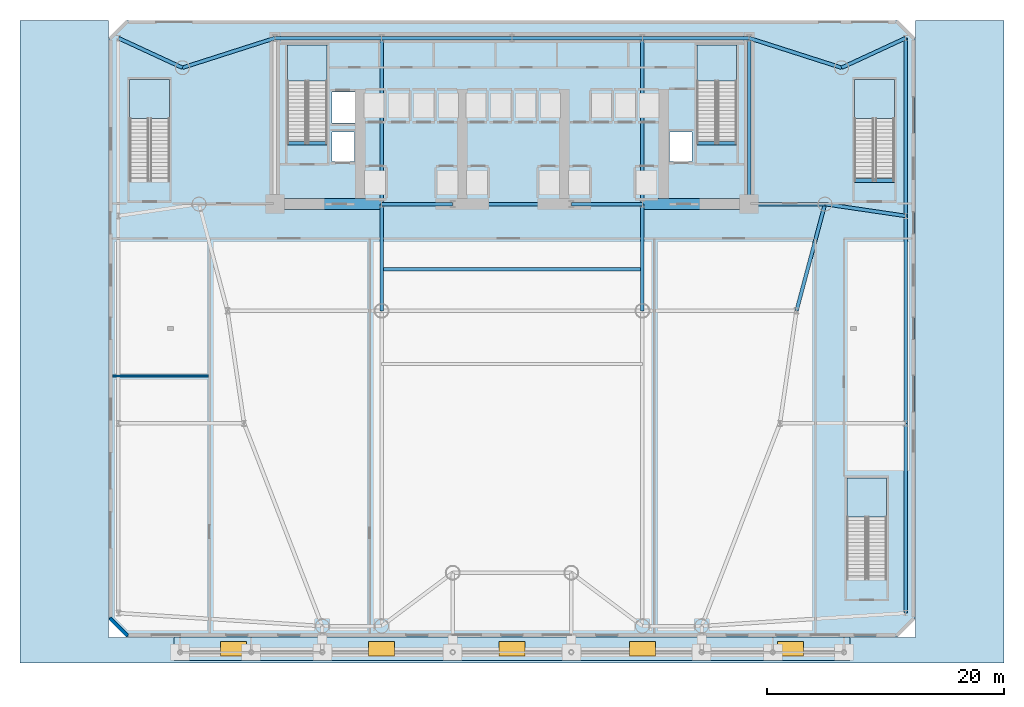
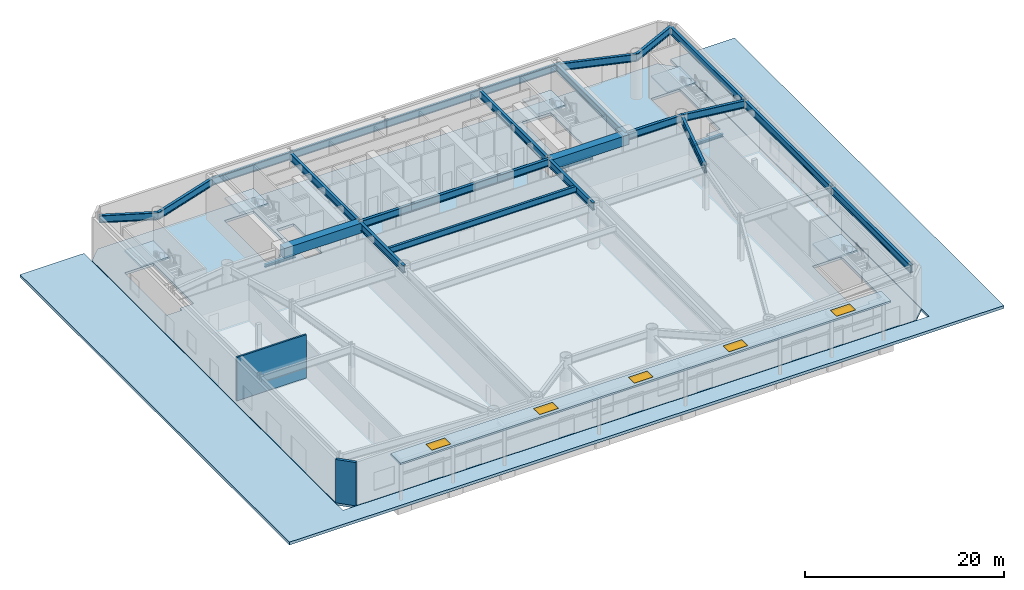
# One storey, part 5 of 20: 28 beams, 8 slabs, 5 windows, 2 walls, 5 openings, 5 elements without a shape of their own.
"""IFC4 building model written with IfcOpenShell, lengths in metres."""

from ifc_helpers import new_model, si_unit, direction, frame, frame_2d, origin, origin_2d, place, context, subcontext, project, spatial, polyline, rectangle, i_section, outline, extrude, source, transform, mapped, material, layer, layer_set, material_profile, profile_set, type_object, element, fill, aggregate, save


model = new_model("IFC4")

# Units and contexts
model_context = context("Model", 3, precision=1e-05, world=origin(), true_north=direction((0.0, 1.0)))
body_context = subcontext(model_context, "Body", "Model", "MODEL_VIEW")
ifc_project = project(units=[si_unit("LENGTHUNIT", "METRE"), si_unit("AREAUNIT", "SQUARE_METRE"), si_unit("VOLUMEUNIT", "CUBIC_METRE"), si_unit("PLANEANGLEUNIT", "RADIAN"), si_unit("MASSUNIT", "GRAM", prefix="KILO")], contexts=[model_context])

# Site, building, storey
site_placement = place(None, origin())
site = spatial("IfcSite", under=ifc_project, at=site_placement, CompositionType="ELEMENT")
building_placement = place(site_placement, origin())
building = spatial("IfcBuilding", under=site, at=building_placement, Name="Vaeldorn Concourse Tower", CompositionType="ELEMENT")
storey_placement = place(building_placement, origin())
storey = spatial("IfcBuildingStorey", under=building, at=storey_placement, Name="L00", CompositionType="ELEMENT", Elevation=0.0)

# Beams
ifc_material_1 = material(Name="Concrete C60/75", Category="concrete")
ifc_material_profile_1 = material_profile(ifc_material_1, rectangle(XDim=0.89990234375, YDim=1.199951171875, at=origin_2d()), Name="RC 900x1200")
ifc_profile_set_1 = profile_set([ifc_material_profile_1], Name="Concrete C60/75")
beam_type_1 = type_object("IfcBeamType", Name="BM-CB-RC900", PredefinedType="BEAM", material=ifc_profile_set_1)
shared_shape_1 = source(origin(), body_context, "Body", "SweptSolid", [
    extrude(rectangle(XDim=0.89990234375, YDim=1.199951171875, at=origin_2d()), origin(), (0.0, 0.0, 1.0), 9.0),
])
for number, where, z_axis, x_axis, name in (
    (1, (14.0, 36.5, 4.719970703125), (1.0, 0.0, 0.0), (0.0, 1.0, 0.0), "Core Coupling Beam L00-1"),
    (2, (45.0, 36.5, 4.719970703125), (1.0, 0.0, 0.0), (0.0, 1.0, 0.0), "Core Coupling Beam L00-2"),
):
    element("IfcBeam", number, at=place(storey_placement, frame(where, z_axis=z_axis, x_axis=x_axis)), inside=storey, type_object=beam_type_1, Name=name, PredefinedType="BEAM", context=body_context, shape_type="MappedRepresentation", body=[
        mapped(shared_shape_1, transform((0.0, 0.0, 0.0), scale=1.0)),
    ])
ifc_material_2 = material(Name="Steel S355", Category="steel")
ifc_material_profile_2 = material_profile(ifc_material_2, i_section(OverallWidth=0.300048828125, OverallDepth=0.340087890625, WebThickness=0.011962890625, FlangeThickness=0.021484375, FilletRadius=0.027099609375, at=origin_2d()), Name="HEB 340")
ifc_profile_set_2 = profile_set([ifc_material_profile_2], Name="Steel S355")
beam_type_2 = type_object("IfcBeamType", Name="BM-ST-TRIM", PredefinedType="BEAM", material=ifc_profile_set_2)
shared_shape_2 = source(origin(), body_context, "Body", "SweptSolid", [
    extrude(i_section(OverallWidth=0.300048828125, OverallDepth=0.340087890625, WebThickness=0.011962890625, FlangeThickness=0.021484375, FilletRadius=0.027099609375, at=origin_2d()), origin(), (0.0, 0.0, 1.0), 3.590087890625),
])
for number, where, z_axis, x_axis, name in (
    (3, (14.929931640625, 41.639892578125, -0.489990234375), (1.0, 0.0, 0.0), (0.0, 1.0, 0.0), "Stair Landing Trimmer Beam ST-1 L00"),
    (4, (49.47998046875, 41.639892578125, -0.489990234375), (1.0, 0.0, 0.0), (0.0, 1.0, 0.0), "Stair Landing Trimmer Beam ST-2 L00"),
    (5, (62.780029296875, 38.489990234375, -0.489990234375), (1.0, 0.0, 0.0), (0.0, 1.0, 0.0), "Stair Landing Trimmer Beam ST-4 L00"),
):
    element("IfcBeam", number, at=place(storey_placement, frame(where, z_axis=z_axis, x_axis=x_axis)), inside=storey, type_object=beam_type_2, Name=name, PredefinedType="BEAM", context=body_context, shape_type="MappedRepresentation", body=[
        mapped(shared_shape_2, transform((0.0, 0.0, 0.0), scale=1.0)),
    ])
ifc_material_profile_3 = material_profile(ifc_material_2, i_section(OverallWidth=0.302001953125, OverallDepth=0.909912109375, WebThickness=0.02099609375, FlangeThickness=0.0400390625, FilletRadius=0.030029296875, at=origin_2d()), Name="HEM 900")
ifc_profile_set_3 = profile_set([ifc_material_profile_3], Name="Steel S355")
beam_type_3 = type_object("IfcBeamType", Name="BM-PG-HEM900", PredefinedType="BEAM", material=ifc_profile_set_3)
shared_shape_3 = source(origin(), body_context, "Body", "SweptSolid", [
    extrude(i_section(OverallWidth=0.302001953125, OverallDepth=0.909912109375, WebThickness=0.02099609375, FlangeThickness=0.0400390625, FilletRadius=0.030029296875, at=origin_2d()), origin(), (0.0, 0.0, 1.0), 6.0),
])
for number, where, z_axis, x_axis, name in (
    (6, (23.0, 36.5, 4.864990234375), (1.0, 0.0, 0.0), (0.0, 1.0, 0.0), "Beam BM-L00-C-FC2-C-FC3"),
    (7, (39.0, 36.5, 4.864990234375), (1.0, 0.0, 0.0), (0.0, 1.0, 0.0), "Beam BM-L00-C-FC4-C-FC5"),
):
    element("IfcBeam", number, at=place(storey_placement, frame(where, z_axis=z_axis, x_axis=x_axis)), inside=storey, type_object=beam_type_3, Name=name, PredefinedType="BEAM", context=body_context, shape_type="MappedRepresentation", body=[
        mapped(shared_shape_3, transform((0.0, 0.0, 0.0), scale=1.0)),
    ])
shared_shape_4 = source(origin(), body_context, "Body", "SweptSolid", [
    extrude(i_section(OverallWidth=0.302001953125, OverallDepth=0.909912109375, WebThickness=0.02099609375, FlangeThickness=0.0400390625, FilletRadius=0.030029296875, at=origin_2d()), origin(), (0.0, 0.0, 1.0), 10.0),
])
beam_1_placement = place(storey_placement, frame((29.0, 36.5, 4.864990234375), z_axis=(1.0, 0.0, 0.0), x_axis=(0.0, 1.0, 0.0)))
element("IfcBeam", 8, at=beam_1_placement, inside=storey, type_object=beam_type_3, Name="Beam BM-L00-C-FC3-C-FC4", PredefinedType="BEAM", context=body_context, shape_type="MappedRepresentation", body=[
    mapped(shared_shape_4, transform((0.0, 0.0, 0.0), scale=1.0)),
])
shared_shape_5 = source(origin(), body_context, "Body", "SweptSolid", [
    extrude(i_section(OverallWidth=0.302001953125, OverallDepth=0.909912109375, WebThickness=0.02099609375, FlangeThickness=0.0400390625, FilletRadius=0.030029296875, at=origin_2d()), origin(), (0.0, 0.0, 1.0), 9.0),
])
for number, where, z_axis, x_axis, name in (
    (9, (14.0, 50.5, 4.864990234375), (1.0, 0.0, 0.0), (0.0, 1.0, 0.0), "Beam BM-L00-C-HC1-C-HC2"),
    (10, (45.0, 50.5, 4.864990234375), (1.0, 0.0, 0.0), (0.0, 1.0, 0.0), "Beam BM-L00-C-HC4-C-HC5"),
    (11, (23.0, 27.5, 4.864990234375), (0.0, 1.0, 0.0), (-1.0, 0.0, 0.0), "Beam BM-L00-C-TW1-C-FC2"),
    (12, (45.0, 27.5, 4.864990234375), (0.0, 1.0, 0.0), (-1.0, 0.0, 0.0), "Beam BM-L00-C-TW4-C-FC5"),
):
    element("IfcBeam", number, at=place(storey_placement, frame(where, z_axis=z_axis, x_axis=x_axis)), inside=storey, type_object=beam_type_3, Name=name, PredefinedType="BEAM", context=body_context, shape_type="MappedRepresentation", body=[
        mapped(shared_shape_5, transform((0.0, 0.0, 0.0), scale=1.0)),
    ])
shared_shape_6 = source(origin(), body_context, "Body", "SweptSolid", [
    extrude(i_section(OverallWidth=0.302001953125, OverallDepth=0.909912109375, WebThickness=0.02099609375, FlangeThickness=0.0400390625, FilletRadius=0.030029296875, at=origin_2d()), origin(), (0.0, 0.0, 1.0), 11.0),
])
for number, where, z_axis, x_axis, name in (
    (13, (23.0, 50.5, 4.864990234375), (1.0, 0.0, 0.0), (0.0, 1.0, 0.0), "Beam BM-L00-C-HC2-C-HC3"),
    (14, (34.0, 50.5, 4.864990234375), (1.0, 0.0, 0.0), (0.0, 1.0, 0.0), "Beam BM-L00-C-HC3-C-HC4"),
):
    element("IfcBeam", number, at=place(storey_placement, frame(where, z_axis=z_axis, x_axis=x_axis)), inside=storey, type_object=beam_type_3, Name=name, PredefinedType="BEAM", context=body_context, shape_type="MappedRepresentation", body=[
        mapped(shared_shape_6, transform((0.0, 0.0, 0.0), scale=1.0)),
    ])
shared_shape_7 = source(origin(), body_context, "Body", "SweptSolid", [
    extrude(i_section(OverallWidth=0.302001953125, OverallDepth=0.909912109375, WebThickness=0.02099609375, FlangeThickness=0.0400390625, FilletRadius=0.030029296875, at=origin_2d()), origin(), (0.0, 0.0, 1.0), 14.0),
])
for number, where, z_axis, x_axis, name in (
    (15, (23.0, 36.5, 4.864990234375), (0.0, 1.0, 0.0), (-1.0, 0.0, 0.0), "Beam BM-L00-C-FC2-C-HC2"),
    (16, (45.0, 36.5, 4.864990234375), (0.0, 1.0, 0.0), (-1.0, 0.0, 0.0), "Beam BM-L00-C-FC5-C-HC4"),
    (17, (54.0, 36.5, 4.864990234375), (0.0, 1.0, 0.0), (-1.0, 0.0, 0.0), "Beam BM-L00-C-FC6-C-HC5"),
):
    element("IfcBeam", number, at=place(storey_placement, frame(where, z_axis=z_axis, x_axis=x_axis)), inside=storey, type_object=beam_type_3, Name=name, PredefinedType="BEAM", context=body_context, shape_type="MappedRepresentation", body=[
        mapped(shared_shape_7, transform((0.0, 0.0, 0.0), scale=1.0)),
    ])
shared_shape_8 = source(origin(), body_context, "Body", "SweptSolid", [
    extrude(i_section(OverallWidth=0.302001953125, OverallDepth=0.909912109375, WebThickness=0.02099609375, FlangeThickness=0.0400390625, FilletRadius=0.030029296875, at=origin_2d()), origin(), (0.0, 0.0, 1.0), 16.0),
])
beam_2_placement = place(storey_placement, frame((67.199951171875, 2.0, 4.864990234375), z_axis=(0.0, 1.0, 0.0), x_axis=(-1.0, 0.0, 0.0)))
element("IfcBeam", 18, at=beam_2_placement, inside=storey, type_object=beam_type_3, Name="Beam BM-L00-C-PE1-C-PE2", PredefinedType="BEAM", context=body_context, shape_type="MappedRepresentation", body=[
    mapped(shared_shape_8, transform((0.0, 0.0, 0.0), scale=1.0)),
])
shared_shape_9 = source(origin(), body_context, "Body", "SweptSolid", [
    extrude(i_section(OverallWidth=0.302001953125, OverallDepth=0.909912109375, WebThickness=0.02099609375, FlangeThickness=0.0400390625, FilletRadius=0.030029296875, at=origin_2d()), origin(), (0.0, 0.0, 1.0), 17.5),
])
beam_3_placement = place(storey_placement, frame((67.199951171875, 18.0, 4.864990234375), z_axis=(0.0, 1.0, 0.0), x_axis=(-1.0, 0.0, 0.0)))
element("IfcBeam", 19, at=beam_3_placement, inside=storey, type_object=beam_type_3, Name="Beam BM-L00-C-PE2-C-PE3", PredefinedType="BEAM", context=body_context, shape_type="MappedRepresentation", body=[
    mapped(shared_shape_9, transform((0.0, 0.0, 0.0), scale=1.0)),
])
shared_shape_10 = source(origin(), body_context, "Body", "SweptSolid", [
    extrude(i_section(OverallWidth=0.302001953125, OverallDepth=0.909912109375, WebThickness=0.02099609375, FlangeThickness=0.0400390625, FilletRadius=0.030029296875, at=origin_2d()), origin(), (0.0, 0.0, 1.0), 15.0),
])
beam_4_placement = place(storey_placement, frame((67.199951171875, 35.5, 4.864990234375), z_axis=(0.0, 1.0, 0.0), x_axis=(-1.0, 0.0, 0.0)))
element("IfcBeam", 20, at=beam_4_placement, inside=storey, type_object=beam_type_3, Name="Beam BM-L00-C-PE3-C-PE4", PredefinedType="BEAM", context=body_context, shape_type="MappedRepresentation", body=[
    mapped(shared_shape_10, transform((0.0, 0.0, 0.0), scale=1.0)),
])
shared_shape_11 = source(origin(), body_context, "Body", "SweptSolid", [
    extrude(i_section(OverallWidth=0.302001953125, OverallDepth=0.909912109375, WebThickness=0.02099609375, FlangeThickness=0.0400390625, FilletRadius=0.030029296875, at=origin_2d()), origin(), (0.0, 0.0, 1.0), 6.873291015625),
])
beam_5_placement = place(storey_placement, frame((60.39990234375, 36.5, 4.864990234375), z_axis=(0.989359285749, -0.145492967882, 0.0), x_axis=(0.145492967882, 0.989359285749, 0.0)))
element("IfcBeam", 21, at=beam_5_placement, inside=storey, type_object=beam_type_3, Name="Beam BM-L00-C-NE2-C-PE3", PredefinedType="BEAM", context=body_context, shape_type="MappedRepresentation", body=[
    mapped(shared_shape_11, transform((0.0, 0.0, 0.0), scale=1.0)),
])
shared_shape_12 = source(origin(), body_context, "Body", "SweptSolid", [
    extrude(i_section(OverallWidth=0.302001953125, OverallDepth=0.909912109375, WebThickness=0.02099609375, FlangeThickness=0.0400390625, FilletRadius=0.030029296875, at=origin_2d()), origin(), (0.0, 0.0, 1.0), 6.39990234375),
])
beam_6_placement = place(storey_placement, frame((54.0, 36.5, 4.864990234375), z_axis=(1.0, 0.0, 0.0), x_axis=(0.0, 1.0, 0.0)))
element("IfcBeam", 22, at=beam_6_placement, inside=storey, type_object=beam_type_3, Name="Beam BM-L00-C-FC6-C-NE2", PredefinedType="BEAM", context=body_context, shape_type="MappedRepresentation", body=[
    mapped(shared_shape_12, transform((0.0, 0.0, 0.0), scale=1.0)),
])
shared_shape_13 = source(origin(), body_context, "Body", "SweptSolid", [
    extrude(i_section(OverallWidth=0.302001953125, OverallDepth=0.909912109375, WebThickness=0.02099609375, FlangeThickness=0.0400390625, FilletRadius=0.030029296875, at=origin_2d()), origin(), (0.0, 0.0, 1.0), 5.950439453125),
])
for number, where, z_axis, x_axis, name in (
    (23, (0.800048828125, 50.5, 4.864990234375), (0.907464010437, -0.420129824888, 0.0), (0.420129824888, 0.907464010437, 0.0), "Beam BM-L00-C-PW4-C-NW1"),
    (24, (61.800048828125, 48.0, 4.864990234375), (0.907464010437, 0.420129824888, 0.0), (-0.420129824888, 0.907464010437, 0.0), "Beam BM-L00-C-NE1-C-PE4"),
):
    element("IfcBeam", number, at=place(storey_placement, frame(where, z_axis=z_axis, x_axis=x_axis)), inside=storey, type_object=beam_type_3, Name=name, PredefinedType="BEAM", context=body_context, shape_type="MappedRepresentation", body=[
        mapped(shared_shape_13, transform((0.0, 0.0, 0.0), scale=1.0)),
    ])
shared_shape_14 = source(origin(), body_context, "Body", "SweptSolid", [
    extrude(i_section(OverallWidth=0.302001953125, OverallDepth=0.909912109375, WebThickness=0.02099609375, FlangeThickness=0.0400390625, FilletRadius=0.030029296875, at=origin_2d()), origin(), (0.0, 0.0, 1.0), 8.19091796875),
])
for number, where, z_axis, x_axis, name in (
    (25, (6.199951171875, 48.0, 4.864990234375), (0.952282843383, 0.305216949396, 0.0), (-0.305216949396, 0.952282843383, 0.0), "Beam BM-L00-C-NW1-C-HC1"),
    (26, (54.0, 50.5, 4.864990234375), (0.952282843383, -0.305216949396, 0.0), (0.305216949396, 0.952282843383, 0.0), "Beam BM-L00-C-HC5-C-NE1"),
):
    element("IfcBeam", number, at=place(storey_placement, frame(where, z_axis=z_axis, x_axis=x_axis)), inside=storey, type_object=beam_type_3, Name=name, PredefinedType="BEAM", context=body_context, shape_type="MappedRepresentation", body=[
        mapped(shared_shape_14, transform((0.0, 0.0, 0.0), scale=1.0)),
    ])
shared_shape_15 = source(origin(), body_context, "Body", "SweptSolid", [
    extrude(i_section(OverallWidth=0.302001953125, OverallDepth=0.909912109375, WebThickness=0.02099609375, FlangeThickness=0.0400390625, FilletRadius=0.030029296875, at=origin_2d()), origin(), (0.0, 0.0, 1.0), 9.314453125),
])
beam_7_placement = place(storey_placement, frame((60.39990234375, 36.5, 4.864990234375), z_axis=(-0.257652862255, -0.966237549763, 0.0), x_axis=(0.966237549763, -0.257652862255, 0.0)))
element("IfcBeam", 27, at=beam_7_placement, inside=storey, type_object=beam_type_3, Name="Beam BM-L00-C-NE2-C-FLE1", PredefinedType="BEAM", context=body_context, shape_type="MappedRepresentation", body=[
    mapped(shared_shape_15, transform((0.0, 0.0, 0.0), scale=1.0)),
])
ifc_material_profile_4 = material_profile(ifc_material_2, i_section(OverallWidth=0.26708984375, OverallDepth=0.761962890625, WebThickness=0.014404296875, FlangeThickness=0.021484375, FilletRadius=0.01708984375, at=origin_2d()), Name="IPE 750x173")
ifc_profile_set_4 = profile_set([ifc_material_profile_4], Name="Steel S355")
beam_type_4 = type_object("IfcBeamType", Name="BM-JS-IPE750", PredefinedType="JOIST", material=ifc_profile_set_4)
shared_shape_16 = source(origin(), body_context, "Body", "SweptSolid", [
    extrude(i_section(OverallWidth=0.26708984375, OverallDepth=0.761962890625, WebThickness=0.014404296875, FlangeThickness=0.021484375, FilletRadius=0.01708984375, at=origin_2d()), origin(), (0.0, 0.0, 1.0), 22.0),
])
beam_8_placement = place(storey_placement, frame((23.0, 31.0, 4.93896484375), z_axis=(1.0, 0.0, 0.0), x_axis=(0.0, 1.0, 0.0)))
element("IfcBeam", 28, at=beam_8_placement, inside=storey, type_object=beam_type_4, Name="Beam JS-L00-C-31", PredefinedType="JOIST", context=body_context, shape_type="MappedRepresentation", body=[
    mapped(shared_shape_16, transform((0.0, 0.0, 0.0), scale=1.0)),
])

# Slab, openings, windows
ifc_material_3 = material(Name="Concrete C40/50", Category="concrete")
ifc_layer_1 = layer(ifc_material_3, 0.219970703125)
ifc_layer_set_1 = layer_set([ifc_layer_1], Name="Concrete C40/50")
slab_type_1 = type_object("IfcSlabType", Name="SL-CANOPY-ROOF", PredefinedType="ROOF", material=ifc_layer_set_1)
slab_1_placement = place(storey_placement, frame((0.0, 0.0, 4.800048828125)))
slab_1 = element("IfcSlab", 29, at=slab_1_placement, inside=storey, type_object=slab_type_1, Name="Station Forecourt Canopy Roof Slab", PredefinedType="ROOF", context=body_context, shape_type="SweptSolid", body=[
    extrude(outline(polyline([(5.5, -2.0), (62.5, -2.0), (62.5, 0.0), (5.5, 0.0), (5.5, -2.0)])), origin(), (0.0, 0.0, 1.0), 0.219970703125),
])
opening_1_placement = place(slab_1_placement, frame((10.5, -1.0, 0.0)))
opening_1 = element("IfcOpeningElement", 30, at=opening_1_placement, cuts=slab_1, Name="Opening SK-1", PredefinedType="OPENING", context=body_context, shape_type="SweptSolid", body=[
    extrude(rectangle(XDim=2.199951171875, YDim=1.199951171875, at=origin_2d()), origin(), (0.0, 0.0, 1.0), 0.219970703125),
])
opening_2_placement = place(slab_1_placement, frame((23.0, -1.0, 0.0)))
opening_2 = element("IfcOpeningElement", 31, at=opening_2_placement, cuts=slab_1, Name="Opening SK-1", PredefinedType="OPENING", context=body_context, shape_type="SweptSolid", body=[
    extrude(rectangle(XDim=2.199951171875, YDim=1.199951171875, at=origin_2d()), origin(), (0.0, 0.0, 1.0), 0.219970703125),
])
opening_3_placement = place(slab_1_placement, frame((34.0, -1.0, 0.0)))
opening_3 = element("IfcOpeningElement", 32, at=opening_3_placement, cuts=slab_1, Name="Opening SK-1", PredefinedType="OPENING", context=body_context, shape_type="SweptSolid", body=[
    extrude(rectangle(XDim=2.199951171875, YDim=1.199951171875, at=origin_2d()), origin(), (0.0, 0.0, 1.0), 0.219970703125),
])
opening_4_placement = place(slab_1_placement, frame((45.0, -1.0, 0.0)))
opening_4 = element("IfcOpeningElement", 33, at=opening_4_placement, cuts=slab_1, Name="Opening SK-1", PredefinedType="OPENING", context=body_context, shape_type="SweptSolid", body=[
    extrude(rectangle(XDim=2.199951171875, YDim=1.199951171875, at=origin_2d()), origin(), (0.0, 0.0, 1.0), 0.219970703125),
])
opening_5_placement = place(slab_1_placement, frame((57.5, -1.0, 0.0)))
opening_5 = element("IfcOpeningElement", 34, at=opening_5_placement, cuts=slab_1, Name="Opening SK-1", PredefinedType="OPENING", context=body_context, shape_type="SweptSolid", body=[
    extrude(rectangle(XDim=2.199951171875, YDim=1.199951171875, at=origin_2d()), origin(), (0.0, 0.0, 1.0), 0.219970703125),
])
ifc_material_4 = material(Name="Bronze Tinted Low-E Insulated Glass", Category="glass")
window_type = type_object("IfcWindowType", Name="WN-SKYLIGHT-3000x2400", PartitioningType="SINGLE_PANEL", PredefinedType="SKYLIGHT", material=ifc_material_4)
window_1_placement = place(opening_1_placement, frame((0.0, 0.0, 0.169921875)))
window_1 = element("IfcWindow", 35, at=window_1_placement, inside=storey, type_object=window_type, Name="Forecourt Canopy Glazed Skylight 1", OverallHeight=1.199951171875, OverallWidth=2.199951171875, PartitioningType="SINGLE_PANEL", PredefinedType="SKYLIGHT", context=body_context, shape_type="SweptSolid", body=[
    extrude(rectangle(XDim=2.199951171875, YDim=1.199951171875, at=origin_2d()), origin(), (0.0, 0.0, 1.0), 0.050048828125),
])
fill(opening_1, window_1)
window_2_placement = place(opening_2_placement, frame((0.0, 0.0, 0.169921875)))
window_2 = element("IfcWindow", 36, at=window_2_placement, inside=storey, type_object=window_type, Name="Forecourt Canopy Glazed Skylight 2", OverallHeight=1.199951171875, OverallWidth=2.199951171875, PartitioningType="SINGLE_PANEL", PredefinedType="SKYLIGHT", context=body_context, shape_type="SweptSolid", body=[
    extrude(rectangle(XDim=2.199951171875, YDim=1.199951171875, at=origin_2d()), origin(), (0.0, 0.0, 1.0), 0.050048828125),
])
fill(opening_2, window_2)
window_3_placement = place(opening_3_placement, frame((0.0, 0.0, 0.169921875)))
window_3 = element("IfcWindow", 37, at=window_3_placement, inside=storey, type_object=window_type, Name="Forecourt Canopy Glazed Skylight 3", OverallHeight=1.199951171875, OverallWidth=2.199951171875, PartitioningType="SINGLE_PANEL", PredefinedType="SKYLIGHT", context=body_context, shape_type="SweptSolid", body=[
    extrude(rectangle(XDim=2.199951171875, YDim=1.199951171875, at=origin_2d()), origin(), (0.0, 0.0, 1.0), 0.050048828125),
])
fill(opening_3, window_3)
window_4_placement = place(opening_4_placement, frame((0.0, 0.0, 0.169921875)))
window_4 = element("IfcWindow", 38, at=window_4_placement, inside=storey, type_object=window_type, Name="Forecourt Canopy Glazed Skylight 4", OverallHeight=1.199951171875, OverallWidth=2.199951171875, PartitioningType="SINGLE_PANEL", PredefinedType="SKYLIGHT", context=body_context, shape_type="SweptSolid", body=[
    extrude(rectangle(XDim=2.199951171875, YDim=1.199951171875, at=origin_2d()), origin(), (0.0, 0.0, 1.0), 0.050048828125),
])
fill(opening_4, window_4)
window_5_placement = place(opening_5_placement, frame((0.0, 0.0, 0.169921875)))
window_5 = element("IfcWindow", 39, at=window_5_placement, inside=storey, type_object=window_type, Name="Forecourt Canopy Glazed Skylight 5", OverallHeight=1.199951171875, OverallWidth=2.199951171875, PartitioningType="SINGLE_PANEL", PredefinedType="SKYLIGHT", context=body_context, shape_type="SweptSolid", body=[
    extrude(rectangle(XDim=2.199951171875, YDim=1.199951171875, at=origin_2d()), origin(), (0.0, 0.0, 1.0), 0.050048828125),
])
fill(opening_5, window_5)

# Slab
ifc_layer_2 = layer(ifc_material_3, 0.35009765625)
ifc_layer_set_2 = layer_set([ifc_layer_2], Name="Concrete C40/50")
slab_type_2 = type_object("IfcSlabType", Name="SL-PLAZA-350", PredefinedType="BASESLAB", material=ifc_layer_set_2)
slab_2_placement = place(storey_placement, frame((0.0, 0.0, -0.35009765625)))
element("IfcSlab", 40, at=slab_2_placement, inside=storey, type_object=slab_type_2, Name="Station Forecourt Public Plaza Slab", PredefinedType="BASESLAB", context=body_context, shape_type="SweptSolid", body=[
    extrude(outline(polyline([(-7.5, -2.199951171875), (75.5, -2.199951171875), (75.5, 52.0), (68.050048828125, 52.0), (68.050048828125, -0.050048828125), (-0.050048828125, -0.050048828125), (-0.050048828125, 52.0), (-7.5, 52.0), (-7.5, -2.199951171875)])), origin(), (0.0, 0.0, 1.0), 0.35009765625),
])

# Stair, slab
ifc_material_5 = material(Name="Precast concrete C40/50", Category="concrete")
stair_type = type_object("IfcStairType", Name="STR-DOG-36x156", PredefinedType="HALF_TURN_STAIR", material=ifc_material_5)
stair_1_placement = place(storey_placement, origin())
stair_1 = element("IfcStair", 41, at=stair_1_placement, inside=storey, type_object=stair_type, Name="L00 West Core Exit Stair ST-1", PredefinedType="HALF_TURN_STAIR")
ifc_layer_3 = layer(ifc_material_3, 0.199951171875)
ifc_layer_set_3 = layer_set([ifc_layer_3], Name="Concrete C40/50")
slab_type_3 = type_object("IfcSlabType", Name="SL-STAIR-LANDING", PredefinedType="LANDING", material=ifc_layer_set_3)
slab_3_placement = place(storey_placement, frame((0.0, 0.0, 2.60009765625)))
slab_3 = element("IfcSlab", 42, at=slab_3_placement, type_object=slab_type_3, Name="ST-1 landing 1", PredefinedType="LANDING", context=body_context, shape_type="SweptSolid", body=[
    extrude(outline(polyline([(18.39990234375, 46.8701171875), (18.39990234375, 49.89990234375), (15.050048828125, 49.89990234375), (15.050048828125, 46.8701171875), (18.39990234375, 46.8701171875)])), origin(), (0.0, 0.0, 1.0), 0.199951171875),
])
aggregate(stair_1, [slab_3])

stair_2_placement = place(storey_placement, origin())
stair_2 = element("IfcStair", 43, at=stair_2_placement, inside=storey, type_object=stair_type, Name="L00 East Core Exit Stair ST-2", PredefinedType="HALF_TURN_STAIR")
slab_4_placement = place(storey_placement, frame((0.0, 0.0, 2.60009765625)))
slab_4 = element("IfcSlab", 44, at=slab_4_placement, type_object=slab_type_3, Name="ST-2 landing 1", PredefinedType="LANDING", context=body_context, shape_type="SweptSolid", body=[
    extrude(outline(polyline([(52.949951171875, 46.8701171875), (52.949951171875, 49.89990234375), (49.60009765625, 49.89990234375), (49.60009765625, 46.8701171875), (52.949951171875, 46.8701171875)])), origin(), (0.0, 0.0, 1.0), 0.199951171875),
])
aggregate(stair_2, [slab_4])

stair_3_placement = place(storey_placement, origin())
stair_3 = element("IfcStair", 45, at=stair_3_placement, inside=storey, type_object=stair_type, Name="L00 Station West Exit Stair ST-3", PredefinedType="HALF_TURN_STAIR")
slab_5_placement = place(storey_placement, frame((0.0, 0.0, 2.60009765625)))
slab_5 = element("IfcSlab", 46, at=slab_5_placement, type_object=slab_type_3, Name="ST-3 landing 1", PredefinedType="LANDING", context=body_context, shape_type="SweptSolid", body=[
    extrude(outline(polyline([(5.10009765625, 43.719970703125), (5.10009765625, 47.0), (1.75, 47.0), (1.75, 43.719970703125), (5.10009765625, 43.719970703125)])), origin(), (0.0, 0.0, 1.0), 0.199951171875),
])
aggregate(stair_3, [slab_5])

stair_4_placement = place(storey_placement, origin())
stair_4 = element("IfcStair", 47, at=stair_4_placement, inside=storey, type_object=stair_type, Name="L00 Station East Exit Stair ST-4", PredefinedType="HALF_TURN_STAIR")
slab_6_placement = place(storey_placement, frame((0.0, 0.0, 2.60009765625)))
slab_6 = element("IfcSlab", 48, at=slab_6_placement, type_object=slab_type_3, Name="ST-4 landing 1", PredefinedType="LANDING", context=body_context, shape_type="SweptSolid", body=[
    extrude(outline(polyline([(66.25, 43.719970703125), (66.25, 47.0), (62.89990234375, 47.0), (62.89990234375, 43.719970703125), (66.25, 43.719970703125)])), origin(), (0.0, 0.0, 1.0), 0.199951171875),
])
aggregate(stair_4, [slab_6])

stair_5_placement = place(storey_placement, origin())
stair_5 = element("IfcStair", 49, at=stair_5_placement, inside=storey, type_object=stair_type, Name="L00 Podium Auditorium Exit Stair ST-5", PredefinedType="HALF_TURN_STAIR")
slab_7_placement = place(storey_placement, frame((0.0, 0.0, 2.60009765625)))
slab_7 = element("IfcSlab", 50, at=slab_7_placement, type_object=slab_type_3, Name="ST-5 landing 1", PredefinedType="LANDING", context=body_context, shape_type="SweptSolid", body=[
    extrude(outline(polyline([(65.60009765625, 10.1201171875), (65.60009765625, 13.39990234375), (62.25, 13.39990234375), (62.25, 10.1201171875), (65.60009765625, 10.1201171875)])), origin(), (0.0, 0.0, 1.0), 0.199951171875),
])
aggregate(stair_5, [slab_7])

# Slab
ifc_layer_4 = layer(ifc_material_3, 0.320068359375)
ifc_layer_set_4 = layer_set([ifc_layer_4], Name="Concrete C40/50")
slab_type_4 = type_object("IfcSlabType", Name="SL-SUB-320", PredefinedType="FLOOR", material=ifc_layer_set_4)
slab_8_placement = place(storey_placement, frame((0.0, 0.0, -0.320068359375)))
element("IfcSlab", 51, at=slab_8_placement, inside=storey, type_object=slab_type_4, Name="Structural Floor Slab L00", PredefinedType="FLOOR", context=body_context, shape_type="SweptSolid", body=[
    extrude(outline(polyline([(1.5, 0.0), (66.5, 0.0), (68.0, 1.5), (68.0, 50.5), (66.5, 52.0), (1.5, 52.0), (0.0, 50.5), (0.0, 1.5), (1.5, 0.0)]), holes=[polyline([(18.39990234375, 42.0), (18.39990234375, 49.89990234375), (15.050048828125, 49.89990234375), (15.050048828125, 41.60009765625), (16.800048828125, 41.60009765625), (16.800048828125, 42.0), (18.39990234375, 42.0)]), polyline([(52.949951171875, 42.0), (52.949951171875, 49.89990234375), (49.60009765625, 49.89990234375), (49.60009765625, 41.60009765625), (51.35009765625, 41.60009765625), (51.35009765625, 42.0), (52.949951171875, 42.0)]), polyline([(5.10009765625, 38.85009765625), (5.10009765625, 47.0), (1.75, 47.0), (1.75, 38.449951171875), (3.5, 38.449951171875), (3.5, 38.85009765625), (5.10009765625, 38.85009765625)]), polyline([(66.25, 38.85009765625), (66.25, 47.0), (62.89990234375, 47.0), (62.89990234375, 38.449951171875), (64.64990234375, 38.449951171875), (64.64990234375, 38.85009765625), (66.25, 38.85009765625)]), polyline([(65.60009765625, 5.25), (65.60009765625, 13.39990234375), (62.25, 13.39990234375), (62.25, 4.85009765625), (64.0, 4.85009765625), (64.0, 5.25), (65.60009765625, 5.25)]), polyline([(18.800048828125, 43.35009765625), (20.800048828125, 43.35009765625), (20.800048828125, 45.949951171875), (18.800048828125, 45.949951171875), (18.800048828125, 43.35009765625)]), polyline([(18.800048828125, 40.10009765625), (20.699951171875, 40.10009765625), (20.699951171875, 42.60009765625), (18.800048828125, 42.60009765625), (18.800048828125, 40.10009765625)]), polyline([(47.300048828125, 40.10009765625), (49.199951171875, 40.10009765625), (49.199951171875, 42.60009765625), (47.300048828125, 42.60009765625), (47.300048828125, 40.10009765625)])]), origin(), (0.0, 0.0, 1.0), 0.320068359375),
])

# Walls
ifc_layer_5 = layer(ifc_material_5, 0.300048828125)
ifc_layer_set_5 = layer_set([ifc_layer_5], Name="Precast concrete C40/50")
wall_type_1 = type_object("IfcWallType", Name="WL-EXT-STATION-300", PredefinedType="STANDARD", material=ifc_layer_set_5)
wall_1_placement = place(storey_placement, frame((1.57080078125, 0.079345703125, 0.0), z_axis=(0.0, 0.0, 1.0), x_axis=(-0.707106781187, 0.707106781187, 0.0)))
element("IfcWall", 52, at=wall_1_placement, inside=storey, type_object=wall_type_1, Name="Station Ground Exterior Wall EW-L00-SW", PredefinedType="STANDARD", context=body_context, shape_type="SweptSolid", body=[
    extrude(rectangle(XDim=2.109130859375, YDim=0.300048828125, at=frame_2d((1.0546875, 0.0))), origin(), (0.0, 0.0, 1.0), 5.320068359375),
])
ifc_material_6 = material(Name="Concrete C50/60", Category="concrete")
ifc_layer_6 = layer(ifc_material_6, 0.199951171875)
ifc_layer_set_6 = layer_set([ifc_layer_6], Name="Concrete C50/60")
wall_type_2 = type_object("IfcWallType", Name="WL-SHAFT-200", PredefinedType="SOLIDWALL", material=ifc_layer_set_6)
wall_2_placement = place(storey_placement, frame((0.300048828125, 22.0, 0.0), z_axis=(0.0, 0.0, 1.0), x_axis=(1.0, 0.0, 0.0)))
element("IfcWall", 53, at=wall_2_placement, inside=storey, type_object=wall_type_2, Name="Interior Wall PW-L00-W2", PredefinedType="SOLIDWALL", context=body_context, shape_type="SweptSolid", body=[
    extrude(rectangle(XDim=8.099853515625, YDim=0.199951171875, at=frame_2d((4.0498046875, 0.0))), origin(), (0.0, 0.0, 1.0), 5.320068359375),
])

save(model, "model.ifc")
